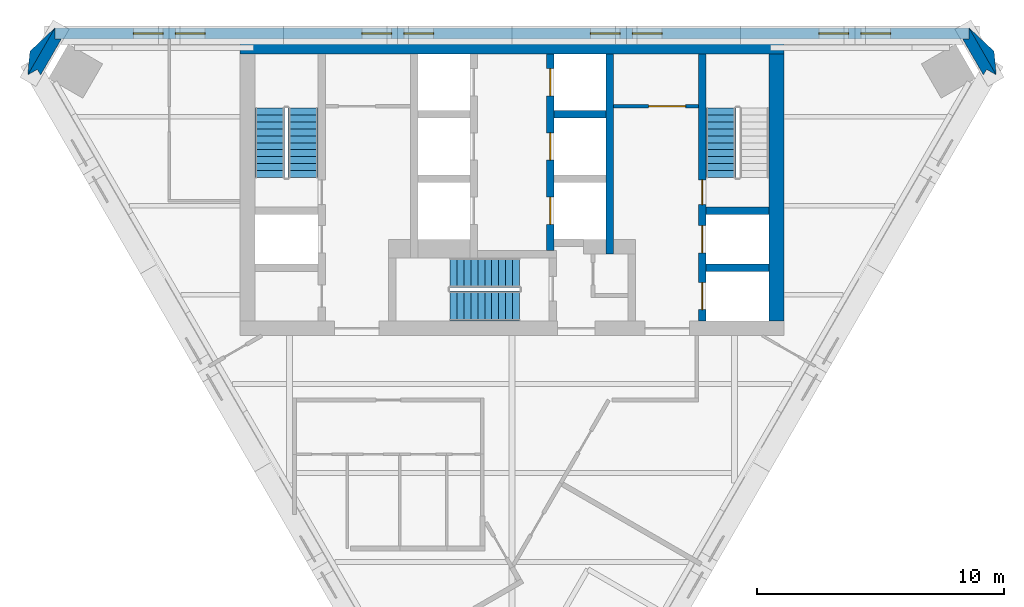
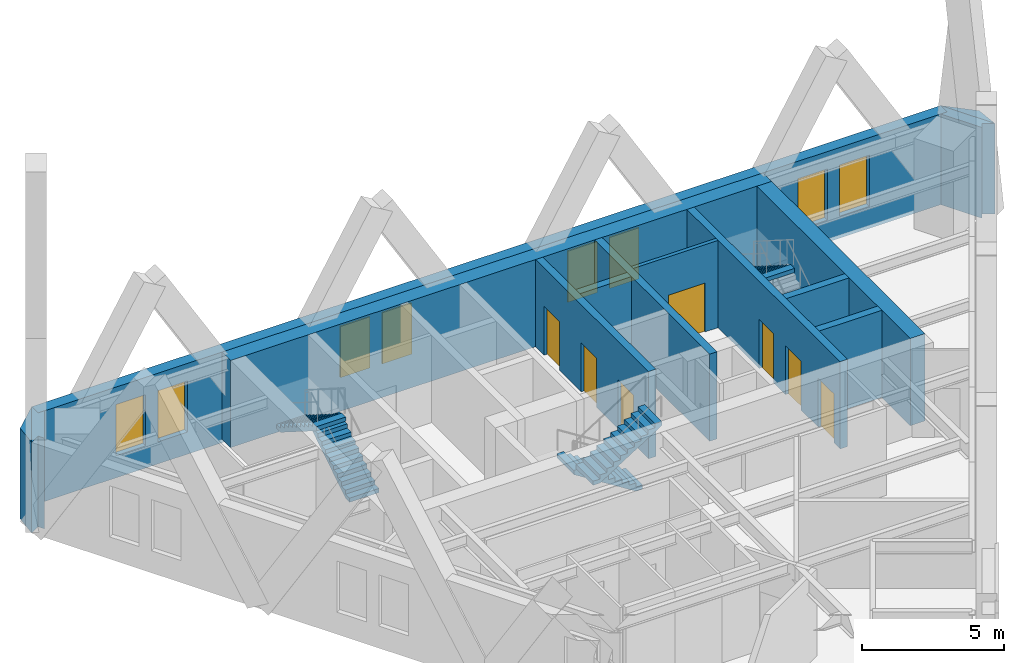
# One storey, part 5 of 7: 14 walls, 8 windows, 7 doors, 5 stair flights, 15 openings, 3 elements without a shape of their own.
"""IFC4 building model written with IfcOpenShell, lengths in metres."""

from ifc_helpers import new_model, si_unit, direction, frame, frame_2d, origin, place, context, subcontext, project, spatial, polyline, rectangle, outline, extrude, material, layer, layer_set, type_object, element, fill, aggregate, save


model = new_model("IFC4")

# Units and contexts
model_context = context("Model", 3, precision=1e-05, world=origin(), true_north=direction((0.0, 1.0)))
body_context = subcontext(model_context, "Body", "Model", "MODEL_VIEW")
ifc_project = project(units=[si_unit("LENGTHUNIT", "METRE"), si_unit("AREAUNIT", "SQUARE_METRE"), si_unit("VOLUMEUNIT", "CUBIC_METRE"), si_unit("PLANEANGLEUNIT", "RADIAN"), si_unit("MASSUNIT", "GRAM", prefix="KILO")], contexts=[model_context])

# Site, building, storey
site_placement = place(None, origin())
site = spatial("IfcSite", under=ifc_project, at=site_placement, CompositionType="ELEMENT")
building_placement = place(site_placement, origin())
building = spatial("IfcBuilding", under=site, at=building_placement, Name="Aloe Facet Convention Tower", CompositionType="ELEMENT")
storey_placement = place(building_placement, frame((0.0, 0.0, 269.89990234375)))
storey = spatial("IfcBuildingStorey", under=building, at=storey_placement, Name="L66", CompositionType="ELEMENT", Elevation=269.89990234375)

# Wall, opening, door
ifc_material_1 = material(Name="Concrete blockwork partition", Category="masonry")
ifc_layer_1 = layer(ifc_material_1, 0.14990234375)
ifc_layer_set_1 = layer_set([ifc_layer_1], Name="CR-W-PART150")
wall_type_1 = type_object("IfcWallType", Name="CR-W-PART150", PredefinedType="PARTITIONING", material=ifc_layer_set_1)
wall_1_placement = place(storey_placement, frame((84.10009765625, 131.824951171875, 0.0), z_axis=(0.0, 0.0, 1.0), x_axis=(1.0, 0.0, 0.0)))
wall_1 = element("IfcWall", 1, at=wall_1_placement, inside=storey, type_object=wall_type_1, Name="Core partition L66-025", PredefinedType="PARTITIONING", context=body_context, shape_type="SweptSolid", body=[
    extrude(rectangle(XDim=3.449951171875, YDim=0.14990234375, at=frame_2d((1.72509765625, 0.0))), origin(), (0.0, 0.0, 1.0), 3.75),
])
opening_1_placement = place(wall_1_placement, frame((1.425048828125, 0.0, 0.0)))
opening_1 = element("IfcOpeningElement", 2, at=opening_1_placement, cuts=wall_1, Name="Opening L66-CD13", PredefinedType="OPENING", context=body_context, shape_type="SweptSolid", body=[
    extrude(rectangle(XDim=1.5, YDim=2.10009765625, at=frame_2d((0.75, 1.050048828125))), frame((0.0, 0.0849609375, 0.0), z_axis=(0.0, -1.0, 0.0), x_axis=(1.0, 0.0, 0.0)), (0.0, 0.0, 1.0), 0.169921875),
])
ifc_material_2 = material(Name="Steel fire-resisting door set FD60", Category="steel")
door_type_1 = type_object("IfcDoorType", Name="CR-D-REFUGE-1500-FD60-DD", OperationType="DOUBLE_DOOR_DOUBLE_SWING", PredefinedType="DOOR", material=ifc_material_2)
door_1_placement = place(opening_1_placement, origin())
door_1 = element("IfcDoor", 3, at=door_1_placement, inside=storey, type_object=door_type_1, Name="Core door L66-CD13", OperationType="DOUBLE_DOOR_DOUBLE_SWING", OverallHeight=2.10009765625, OverallWidth=1.5, PredefinedType="DOOR", context=body_context, shape_type="SweptSolid", body=[
    extrude(rectangle(XDim=1.5, YDim=2.10009765625, at=frame_2d((0.75, 1.050048828125))), frame((0.0, 0.02490234375, 0.0), z_axis=(0.0, -1.0, 0.0), x_axis=(1.0, 0.0, 0.0)), (0.0, 0.0, 1.0), 0.050048828125),
])
fill(opening_1, door_1)

# Wall, openings, doors
ifc_material_3 = material(Name="Concrete C50/60", Category="concrete")
ifc_layer_2 = layer(ifc_material_3, 0.300048828125)
ifc_layer_set_2 = layer_set([ifc_layer_2], Name="CR-W-RC300-C5060")
wall_type_2 = type_object("IfcWallType", Name="CR-W-RC300-C5060", PredefinedType="SOLIDWALL", material=ifc_layer_set_2)
wall_2_placement = place(storey_placement, frame((81.550048828125, 133.949951171875, 0.0), z_axis=(0.0, 0.0, 1.0), x_axis=(0.0, -1.0, 0.0)))
wall_2 = element("IfcWall", 4, at=wall_2_placement, inside=storey, type_object=wall_type_2, Name="Core wall L66-016", PredefinedType="SOLIDWALL", context=body_context, shape_type="SweptSolid", body=[
    extrude(rectangle(XDim=7.949951171875, YDim=0.300048828125, at=frame_2d((3.97509765625, 0.0))), origin(), (0.0, 0.0, 1.0), 3.75),
])
opening_2_placement = place(wall_2_placement, frame((0.60009765625, 0.0, 0.0)))
opening_2 = element("IfcOpeningElement", 5, at=opening_2_placement, cuts=wall_2, Name="Opening LD-B4-L66", PredefinedType="OPENING", context=body_context, shape_type="SweptSolid", body=[
    extrude(rectangle(XDim=1.10009765625, YDim=2.10009765625, at=frame_2d((0.550048828125, 1.050048828125))), frame((0.0, 0.16015625, 0.0), z_axis=(0.0, -1.0, 0.0), x_axis=(1.0, 0.0, 0.0)), (0.0, 0.0, 1.0), 0.320068359375),
])
opening_3_placement = place(wall_2_placement, frame((3.199951171875, 0.0, 0.0)))
opening_3 = element("IfcOpeningElement", 6, at=opening_3_placement, cuts=wall_2, Name="Opening LD-B5-L66", PredefinedType="OPENING", context=body_context, shape_type="SweptSolid", body=[
    extrude(rectangle(XDim=1.10009765625, YDim=2.10009765625, at=frame_2d((0.550048828125, 1.050048828125))), frame((0.0, 0.16015625, 0.0), z_axis=(0.0, -1.0, 0.0), x_axis=(1.0, 0.0, 0.0)), (0.0, 0.0, 1.0), 0.320068359375),
])
opening_4_placement = place(wall_2_placement, frame((5.800048828125, 0.0, 0.0)))
opening_4 = element("IfcOpeningElement", 7, at=opening_4_placement, cuts=wall_2, Name="Opening LD-B6-L66", PredefinedType="OPENING", context=body_context, shape_type="SweptSolid", body=[
    extrude(rectangle(XDim=1.10009765625, YDim=2.10009765625, at=frame_2d((0.550048828125, 1.050048828125))), frame((0.0, 0.16015625, 0.0), z_axis=(0.0, -1.0, 0.0), x_axis=(1.0, 0.0, 0.0)), (0.0, 0.0, 1.0), 0.320068359375),
])
ifc_material_4 = material(Name="Stainless steel sliding landing door", Category="steel")
door_type_2 = type_object("IfcDoorType", Name="CR-LD-1100-FD60-_LEFT", OperationType="SLIDING_TO_LEFT", PredefinedType="DOOR", material=ifc_material_4)
door_2_placement = place(opening_2_placement, origin())
door_2 = element("IfcDoor", 8, at=door_2_placement, inside=storey, type_object=door_type_2, Name="Landing door B4 L66", OperationType="SLIDING_TO_LEFT", OverallHeight=2.10009765625, OverallWidth=1.10009765625, PredefinedType="DOOR", context=body_context, shape_type="SweptSolid", body=[
    extrude(rectangle(XDim=1.10009765625, YDim=2.10009765625, at=frame_2d((0.550048828125, 1.050048828125))), frame((0.0, 0.02490234375, 0.0), z_axis=(0.0, -1.0, 0.0), x_axis=(1.0, 0.0, 0.0)), (0.0, 0.0, 1.0), 0.050048828125),
])
fill(opening_2, door_2)
door_3_placement = place(opening_3_placement, origin())
door_3 = element("IfcDoor", 9, at=door_3_placement, inside=storey, type_object=door_type_2, Name="Landing door B5 L66", OperationType="SLIDING_TO_LEFT", OverallHeight=2.10009765625, OverallWidth=1.10009765625, PredefinedType="DOOR", context=body_context, shape_type="SweptSolid", body=[
    extrude(rectangle(XDim=1.10009765625, YDim=2.10009765625, at=frame_2d((0.550048828125, 1.050048828125))), frame((0.0, 0.02490234375, 0.0), z_axis=(0.0, -1.0, 0.0), x_axis=(1.0, 0.0, 0.0)), (0.0, 0.0, 1.0), 0.050048828125),
])
fill(opening_3, door_3)
door_4_placement = place(opening_4_placement, origin())
door_4 = element("IfcDoor", 10, at=door_4_placement, inside=storey, type_object=door_type_2, Name="Landing door B6 L66", OperationType="SLIDING_TO_LEFT", OverallHeight=2.10009765625, OverallWidth=1.10009765625, PredefinedType="DOOR", context=body_context, shape_type="SweptSolid", body=[
    extrude(rectangle(XDim=1.10009765625, YDim=2.10009765625, at=frame_2d((0.550048828125, 1.050048828125))), frame((0.0, 0.02490234375, 0.0), z_axis=(0.0, -1.0, 0.0), x_axis=(1.0, 0.0, 0.0)), (0.0, 0.0, 1.0), 0.050048828125),
])
fill(opening_4, door_4)

# Walls
wall_3_placement = place(storey_placement, frame((81.699951171875, 131.5, 0.0), z_axis=(0.0, 0.0, 1.0), x_axis=(1.0, 0.0, 0.0)))
element("IfcWall", 11, at=wall_3_placement, inside=storey, type_object=wall_type_2, Name="Core wall L66-018", PredefinedType="SOLIDWALL", context=body_context, shape_type="SweptSolid", body=[
    extrude(rectangle(XDim=2.10009765625, YDim=0.300048828125, at=frame_2d((1.050048828125, 0.0))), origin(), (0.0, 0.0, 1.0), 3.75),
])
wall_4_placement = place(storey_placement, frame((83.949951171875, 133.949951171875, 0.0), z_axis=(0.0, 0.0, 1.0), x_axis=(0.0, -1.0, 0.0)))
element("IfcWall", 12, at=wall_4_placement, inside=storey, type_object=wall_type_2, Name="Core wall L66-024", PredefinedType="SOLIDWALL", context=body_context, shape_type="SweptSolid", body=[
    extrude(rectangle(XDim=8.099853515625, YDim=0.300048828125, at=frame_2d((4.0498046875, 0.0))), origin(), (0.0, 0.0, 1.0), 3.75),
])

# Wall, openings, doors
wall_5_placement = place(storey_placement, frame((87.699951171875, 133.949951171875, 0.0), z_axis=(0.0, 0.0, 1.0), x_axis=(0.0, -1.0, 0.0)))
wall_5 = element("IfcWall", 13, at=wall_5_placement, inside=storey, type_object=wall_type_2, Name="Core wall L66-028", PredefinedType="SOLIDWALL", context=body_context, shape_type="SweptSolid", body=[
    extrude(rectangle(XDim=10.800048828125, YDim=0.300048828125, at=frame_2d((5.39990234375, 0.0))), origin(), (0.0, 0.0, 1.0), 3.75),
])
opening_5_placement = place(wall_5_placement, frame((6.949951171875, 0.0, 0.0)))
opening_5 = element("IfcOpeningElement", 14, at=opening_5_placement, cuts=wall_5, Name="Opening LD-FF2-L66", PredefinedType="OPENING", context=body_context, shape_type="SweptSolid", body=[
    extrude(rectangle(XDim=1.10009765625, YDim=2.10009765625, at=frame_2d((0.550048828125, 1.050048828125))), frame((0.0, 0.16015625, 0.0), z_axis=(0.0, -1.0, 0.0), x_axis=(1.0, 0.0, 0.0)), (0.0, 0.0, 1.0), 0.320068359375),
])
opening_6_placement = place(wall_5_placement, frame((5.10009765625, 0.0, 0.0)))
opening_6 = element("IfcOpeningElement", 15, at=opening_6_placement, cuts=wall_5, Name="Opening L66-CD17", PredefinedType="OPENING", context=body_context, shape_type="SweptSolid", body=[
    extrude(rectangle(XDim=1.0, YDim=2.10009765625, at=frame_2d((0.5, 1.050048828125))), frame((0.0, 0.16015625, 0.0), z_axis=(0.0, -1.0, 0.0), x_axis=(1.0, 0.0, 0.0)), (0.0, 0.0, 1.0), 0.320068359375),
])
opening_7_placement = place(wall_5_placement, frame((9.25, 0.0, 0.0)))
opening_7 = element("IfcOpeningElement", 16, at=opening_7_placement, cuts=wall_5, Name="Opening LD-SV1-L66", PredefinedType="OPENING", context=body_context, shape_type="SweptSolid", body=[
    extrude(rectangle(XDim=1.10009765625, YDim=2.10009765625, at=frame_2d((0.550048828125, 1.050048828125))), frame((0.0, 0.16015625, 0.0), z_axis=(0.0, -1.0, 0.0), x_axis=(1.0, 0.0, 0.0)), (0.0, 0.0, 1.0), 0.320068359375),
])
ifc_material_5 = material(Name="Steel fire-resisting door set FD120", Category="steel")
door_type_3 = type_object("IfcDoorType", Name="CR-D-STAIR-1000-FD120-SLEFT", OperationType="SINGLE_SWING_LEFT", PredefinedType="DOOR", material=ifc_material_5)
door_5_placement = place(opening_6_placement, origin())
door_5 = element("IfcDoor", 17, at=door_5_placement, inside=storey, type_object=door_type_3, Name="Core door L66-CD17", OperationType="SINGLE_SWING_LEFT", OverallHeight=2.10009765625, OverallWidth=1.0, PredefinedType="DOOR", context=body_context, shape_type="SweptSolid", body=[
    extrude(rectangle(XDim=1.0, YDim=2.10009765625, at=frame_2d((0.5, 1.050048828125))), frame((0.0, 0.02490234375, 0.0), z_axis=(0.0, -1.0, 0.0), x_axis=(1.0, 0.0, 0.0)), (0.0, 0.0, 1.0), 0.050048828125),
])
fill(opening_6, door_5)
ifc_material_6 = material(Name="Stainless steel sliding landing door", Category="steel")
door_type_4 = type_object("IfcDoorType", Name="CR-LD-1100-FD120-_LEFT", OperationType="SLIDING_TO_LEFT", PredefinedType="DOOR", material=ifc_material_6)
door_6_placement = place(opening_5_placement, origin())
door_6 = element("IfcDoor", 18, at=door_6_placement, inside=storey, type_object=door_type_4, Name="Landing door FF2 L66", OperationType="SLIDING_TO_LEFT", OverallHeight=2.10009765625, OverallWidth=1.10009765625, PredefinedType="DOOR", context=body_context, shape_type="SweptSolid", body=[
    extrude(rectangle(XDim=1.10009765625, YDim=2.10009765625, at=frame_2d((0.550048828125, 1.050048828125))), frame((0.0, 0.02490234375, 0.0), z_axis=(0.0, -1.0, 0.0), x_axis=(1.0, 0.0, 0.0)), (0.0, 0.0, 1.0), 0.050048828125),
])
fill(opening_5, door_6)
door_7_placement = place(opening_7_placement, origin())
door_7 = element("IfcDoor", 19, at=door_7_placement, inside=storey, type_object=door_type_4, Name="Landing door SV1 L66", OperationType="SLIDING_TO_LEFT", OverallHeight=2.10009765625, OverallWidth=1.10009765625, PredefinedType="DOOR", context=body_context, shape_type="SweptSolid", body=[
    extrude(rectangle(XDim=1.10009765625, YDim=2.10009765625, at=frame_2d((0.550048828125, 1.050048828125))), frame((0.0, 0.02490234375, 0.0), z_axis=(0.0, -1.0, 0.0), x_axis=(1.0, 0.0, 0.0)), (0.0, 0.0, 1.0), 0.050048828125),
])
fill(opening_7, door_7)

# Walls
for number, where, z_axis, x_axis, name in (
    (20, (87.85009765625, 127.60009765625, 0.0), (0.0, 0.0, 1.0), (1.0, 0.0, 0.0), "Core wall L66-029"),
    (21, (87.85009765625, 125.300048828125, 0.0), (0.0, 0.0, 1.0), (1.0, 0.0, 0.0), "Core wall L66-030"),
):
    element("IfcWall", number, at=place(storey_placement, frame(where, z_axis=z_axis, x_axis=x_axis)), inside=storey, type_object=wall_type_2, Name=name, PredefinedType="SOLIDWALL", context=body_context, shape_type="SweptSolid", body=[
        extrude(rectangle(XDim=2.5498046875, YDim=0.300048828125, at=frame_2d((1.27490234375, 0.0))), origin(), (0.0, 0.0, 1.0), 3.75),
    ])
ifc_material_7 = material(Name="Concrete C50/60", Category="concrete")
ifc_layer_3 = layer(ifc_material_7, 0.60009765625)
ifc_layer_set_3 = layer_set([ifc_layer_3], Name="CR-W-RC600-C5060")
wall_type_3 = type_object("IfcWallType", Name="CR-W-RC600-C5060", PredefinedType="SOLIDWALL", material=ifc_layer_set_3)
wall_6_placement = place(storey_placement, frame((69.0, 134.25, 0.0), z_axis=(0.0, 0.0, 1.0), x_axis=(1.0, 0.0, 0.0)))
element("IfcWall", 22, at=wall_6_placement, inside=storey, type_object=wall_type_3, Name="Core wall L66-001", PredefinedType="SOLIDWALL", context=body_context, shape_type="SweptSolid", body=[
    extrude(rectangle(XDim=22.0, YDim=0.60009765625, at=frame_2d((11.0, 0.0))), origin(), (0.0, 0.0, 1.0), 3.75),
])
wall_7_placement = place(storey_placement, frame((90.699951171875, 133.949951171875, 0.0), z_axis=(0.0, 0.0, 1.0), x_axis=(0.0, -1.0, 0.0)))
element("IfcWall", 23, at=wall_7_placement, inside=storey, type_object=wall_type_3, Name="Core wall L66-031", PredefinedType="SOLIDWALL", context=body_context, shape_type="SweptSolid", body=[
    extrude(rectangle(XDim=10.800048828125, YDim=0.60009765625, at=frame_2d((5.39990234375, 0.0))), origin(), (0.0, 0.0, 1.0), 3.75),
])
ifc_material_8 = material(Name="Precast concrete C40/50", Category="concrete")
ifc_layer_4 = layer(ifc_material_8, 0.449951171875)
ifc_layer_set_4 = layer_set([ifc_layer_4], Name="EV-WALL-PIER")
wall_type_4 = type_object("IfcWallType", Name="EV-WALL-PIER", PredefinedType="SOLIDWALL", material=ifc_layer_set_4)
wall_8_placement = place(storey_placement, frame((0.0, 0.0, -0.14990234375)))
element("IfcWall", 24, at=wall_8_placement, inside=storey, type_object=wall_type_4, Name="EP-L66-A", PredefinedType="SOLIDWALL", context=body_context, shape_type="SweptSolid", body=[
    extrude(outline(polyline([(61.513916015625, 135.0), (61.513916015625, 134.550048828125), (61.773681640625, 134.550048828125), (60.933349609375, 133.0947265625), (60.803466796875, 133.31982421875), (60.413818359375, 133.0947265625), (61.513916015625, 135.0)])), origin(), (0.0, 0.0, 1.0), 3.89990234375),
])
wall_9_placement = place(storey_placement, frame((0.0, 0.0, -0.14990234375)))
element("IfcWall", 25, at=wall_9_placement, inside=storey, type_object=wall_type_4, Name="EP-L66-C", PredefinedType="SOLIDWALL", context=body_context, shape_type="SweptSolid", body=[
    extrude(outline(polyline([(99.586181640625, 133.0947265625), (99.196533203125, 133.31982421875), (99.066650390625, 133.0947265625), (98.226318359375, 134.550048828125), (98.486083984375, 134.550048828125), (98.486083984375, 135.0), (99.586181640625, 133.0947265625)])), origin(), (0.0, 0.0, 1.0), 3.89990234375),
])
ifc_material_9 = material(Name="Precast concrete C40/50", Category="concrete")
ifc_layer_5 = layer(ifc_material_9, 3.947998046875)
ifc_layer_set_5 = layer_set([ifc_layer_5], Name="EV-WALL-SPINE")
wall_type_5 = type_object("IfcWallType", Name="EV-WALL-SPINE", PredefinedType="SOLIDWALL", material=ifc_layer_set_5)
wall_10_placement = place(storey_placement, frame((0.0, 0.0, -0.14990234375)))
element("IfcWall", 26, at=wall_10_placement, inside=storey, type_object=wall_type_5, Name="SP-NW-L66", PredefinedType="SOLIDWALL", context=body_context, shape_type="SweptSolid", body=[
    extrude(outline(polyline([(61.513916015625, 135.0), (60.501953125, 134.052490234375), (60.413818359375, 133.0947265625), (61.513916015625, 135.0)])), origin(), (0.0, 0.0, 1.0), 3.89990234375),
])
wall_11_placement = place(storey_placement, frame((0.0, 0.0, -0.14990234375)))
element("IfcWall", 27, at=wall_11_placement, inside=storey, type_object=wall_type_5, Name="SP-NE-L66", PredefinedType="SOLIDWALL", context=body_context, shape_type="SweptSolid", body=[
    extrude(outline(polyline([(99.586181640625, 133.0947265625), (99.498046875, 134.052490234375), (98.486083984375, 135.0), (99.586181640625, 133.0947265625)])), origin(), (0.0, 0.0, 1.0), 3.89990234375),
])

# Wall, openings, windows
ifc_material_10 = material(Name="Precast concrete C40/50", Category="concrete")
ifc_layer_6 = layer(ifc_material_10, 0.449951171875)
ifc_layer_set_6 = layer_set([ifc_layer_6], Name="EV-WALL-STONE")
wall_type_6 = type_object("IfcWallType", Name="EV-WALL-STONE", PredefinedType="SOLIDWALL", material=ifc_layer_set_6)
wall_12_placement = place(storey_placement, frame((98.486083984375, 134.77490234375, -0.14990234375), z_axis=(0.0, 0.0, 1.0), x_axis=(-1.0, 0.0, 0.0)))
wall_12 = element("IfcWall", 28, at=wall_12_placement, inside=storey, type_object=wall_type_6, Name="EW-L66-N01", PredefinedType="SOLIDWALL", context=body_context, shape_type="SweptSolid", body=[
    extrude(outline(polyline([(36.972412109375, 0.0), (36.972412109375, 3.89990234375), (0.0, 3.89990234375), (0.0, 0.0), (36.972412109375, 0.0)])), frame((0.0, 0.22509765625, 0.0), z_axis=(0.0, -1.0, 0.0), x_axis=(1.0, 0.0, 0.0)), (0.0, 0.0, 1.0), 0.449951171875),
])
opening_8_placement = place(wall_12_placement, frame((3.171630859375, 0.0, 0.949951171875)))
opening_8 = element("IfcOpeningElement", 29, at=opening_8_placement, cuts=wall_12, Name="Opening W-L66-N01", PredefinedType="OPENING", context=body_context, shape_type="SweptSolid", body=[
    extrude(rectangle(XDim=1.199951171875, YDim=2.199951171875, at=frame_2d((0.60009765625, 1.10009765625))), frame((0.0, 0.23486328125, 0.0), z_axis=(0.0, -1.0, 0.0), x_axis=(1.0, 0.0, 0.0)), (0.0, 0.0, 1.0), 0.469970703125),
])
opening_9_placement = place(wall_12_placement, frame((4.87158203125, 0.0, 0.949951171875)))
opening_9 = element("IfcOpeningElement", 30, at=opening_9_placement, cuts=wall_12, Name="Opening W-L66-N02", PredefinedType="OPENING", context=body_context, shape_type="SweptSolid", body=[
    extrude(rectangle(XDim=1.199951171875, YDim=2.199951171875, at=frame_2d((0.60009765625, 1.10009765625))), frame((0.0, 0.23486328125, 0.0), z_axis=(0.0, -1.0, 0.0), x_axis=(1.0, 0.0, 0.0)), (0.0, 0.0, 1.0), 0.469970703125),
])
opening_10_placement = place(wall_12_placement, frame((12.41455078125, 0.0, 0.949951171875)))
opening_10 = element("IfcOpeningElement", 31, at=opening_10_placement, cuts=wall_12, Name="Opening W-L66-N03", PredefinedType="OPENING", context=body_context, shape_type="SweptSolid", body=[
    extrude(rectangle(XDim=1.199951171875, YDim=2.199951171875, at=frame_2d((0.60009765625, 1.10009765625))), frame((0.0, 0.23486328125, 0.0), z_axis=(0.0, -1.0, 0.0), x_axis=(1.0, 0.0, 0.0)), (0.0, 0.0, 1.0), 0.469970703125),
])
opening_11_placement = place(wall_12_placement, frame((14.114501953125, 0.0, 0.949951171875)))
opening_11 = element("IfcOpeningElement", 32, at=opening_11_placement, cuts=wall_12, Name="Opening W-L66-N04", PredefinedType="OPENING", context=body_context, shape_type="SweptSolid", body=[
    extrude(rectangle(XDim=1.199951171875, YDim=2.199951171875, at=frame_2d((0.60009765625, 1.10009765625))), frame((0.0, 0.23486328125, 0.0), z_axis=(0.0, -1.0, 0.0), x_axis=(1.0, 0.0, 0.0)), (0.0, 0.0, 1.0), 0.469970703125),
])
opening_12_placement = place(wall_12_placement, frame((21.65771484375, 0.0, 0.949951171875)))
opening_12 = element("IfcOpeningElement", 33, at=opening_12_placement, cuts=wall_12, Name="Opening W-L66-N05", PredefinedType="OPENING", context=body_context, shape_type="SweptSolid", body=[
    extrude(rectangle(XDim=1.199951171875, YDim=2.199951171875, at=frame_2d((0.60009765625, 1.10009765625))), frame((0.0, 0.23486328125, 0.0), z_axis=(0.0, -1.0, 0.0), x_axis=(1.0, 0.0, 0.0)), (0.0, 0.0, 1.0), 0.469970703125),
])
opening_13_placement = place(wall_12_placement, frame((23.357666015625, 0.0, 0.949951171875)))
opening_13 = element("IfcOpeningElement", 34, at=opening_13_placement, cuts=wall_12, Name="Opening W-L66-N06", PredefinedType="OPENING", context=body_context, shape_type="SweptSolid", body=[
    extrude(rectangle(XDim=1.199951171875, YDim=2.199951171875, at=frame_2d((0.60009765625, 1.10009765625))), frame((0.0, 0.23486328125, 0.0), z_axis=(0.0, -1.0, 0.0), x_axis=(1.0, 0.0, 0.0)), (0.0, 0.0, 1.0), 0.469970703125),
])
opening_14_placement = place(wall_12_placement, frame((30.90087890625, 0.0, 0.949951171875)))
opening_14 = element("IfcOpeningElement", 35, at=opening_14_placement, cuts=wall_12, Name="Opening W-L66-N07", PredefinedType="OPENING", context=body_context, shape_type="SweptSolid", body=[
    extrude(rectangle(XDim=1.199951171875, YDim=2.199951171875, at=frame_2d((0.60009765625, 1.10009765625))), frame((0.0, 0.23486328125, 0.0), z_axis=(0.0, -1.0, 0.0), x_axis=(1.0, 0.0, 0.0)), (0.0, 0.0, 1.0), 0.469970703125),
])
opening_15_placement = place(wall_12_placement, frame((32.600830078125, 0.0, 0.949951171875)))
opening_15 = element("IfcOpeningElement", 36, at=opening_15_placement, cuts=wall_12, Name="Opening W-L66-N08", PredefinedType="OPENING", context=body_context, shape_type="SweptSolid", body=[
    extrude(rectangle(XDim=1.199951171875, YDim=2.199951171875, at=frame_2d((0.60009765625, 1.10009765625))), frame((0.0, 0.23486328125, 0.0), z_axis=(0.0, -1.0, 0.0), x_axis=(1.0, 0.0, 0.0)), (0.0, 0.0, 1.0), 0.469970703125),
])
ifc_material_11 = material(Name="Aluminium frame, clear double glazing", Category="aluminium")
window_type = type_object("IfcWindowType", Name="EV-WIN-O12", PartitioningType="SINGLE_PANEL", PredefinedType="WINDOW", material=ifc_material_11)
window_1_placement = place(opening_8_placement, origin())
window_1 = element("IfcWindow", 37, at=window_1_placement, inside=storey, type_object=window_type, Name="W-L66-N01", OverallHeight=2.199951171875, OverallWidth=1.199951171875, PartitioningType="SINGLE_PANEL", PredefinedType="WINDOW", context=body_context, shape_type="SweptSolid", body=[
    extrude(rectangle(XDim=1.199951171875, YDim=2.199951171875, at=frame_2d((0.60009765625, 1.10009765625))), frame((0.0, 0.030029296875, 0.0), z_axis=(0.0, -1.0, 0.0), x_axis=(1.0, 0.0, 0.0)), (0.0, 0.0, 1.0), 0.06005859375),
])
fill(opening_8, window_1)
window_2_placement = place(opening_9_placement, origin())
window_2 = element("IfcWindow", 38, at=window_2_placement, inside=storey, type_object=window_type, Name="W-L66-N02", OverallHeight=2.199951171875, OverallWidth=1.199951171875, PartitioningType="SINGLE_PANEL", PredefinedType="WINDOW", context=body_context, shape_type="SweptSolid", body=[
    extrude(rectangle(XDim=1.199951171875, YDim=2.199951171875, at=frame_2d((0.60009765625, 1.10009765625))), frame((0.0, 0.030029296875, 0.0), z_axis=(0.0, -1.0, 0.0), x_axis=(1.0, 0.0, 0.0)), (0.0, 0.0, 1.0), 0.06005859375),
])
fill(opening_9, window_2)
window_3_placement = place(opening_10_placement, origin())
window_3 = element("IfcWindow", 39, at=window_3_placement, inside=storey, type_object=window_type, Name="W-L66-N03", OverallHeight=2.199951171875, OverallWidth=1.199951171875, PartitioningType="SINGLE_PANEL", PredefinedType="WINDOW", context=body_context, shape_type="SweptSolid", body=[
    extrude(rectangle(XDim=1.199951171875, YDim=2.199951171875, at=frame_2d((0.60009765625, 1.10009765625))), frame((0.0, 0.030029296875, 0.0), z_axis=(0.0, -1.0, 0.0), x_axis=(1.0, 0.0, 0.0)), (0.0, 0.0, 1.0), 0.06005859375),
])
fill(opening_10, window_3)
window_4_placement = place(opening_11_placement, origin())
window_4 = element("IfcWindow", 40, at=window_4_placement, inside=storey, type_object=window_type, Name="W-L66-N04", OverallHeight=2.199951171875, OverallWidth=1.199951171875, PartitioningType="SINGLE_PANEL", PredefinedType="WINDOW", context=body_context, shape_type="SweptSolid", body=[
    extrude(rectangle(XDim=1.199951171875, YDim=2.199951171875, at=frame_2d((0.60009765625, 1.10009765625))), frame((0.0, 0.030029296875, 0.0), z_axis=(0.0, -1.0, 0.0), x_axis=(1.0, 0.0, 0.0)), (0.0, 0.0, 1.0), 0.06005859375),
])
fill(opening_11, window_4)
window_5_placement = place(opening_12_placement, origin())
window_5 = element("IfcWindow", 41, at=window_5_placement, inside=storey, type_object=window_type, Name="W-L66-N05", OverallHeight=2.199951171875, OverallWidth=1.199951171875, PartitioningType="SINGLE_PANEL", PredefinedType="WINDOW", context=body_context, shape_type="SweptSolid", body=[
    extrude(rectangle(XDim=1.199951171875, YDim=2.199951171875, at=frame_2d((0.60009765625, 1.10009765625))), frame((0.0, 0.030029296875, 0.0), z_axis=(0.0, -1.0, 0.0), x_axis=(1.0, 0.0, 0.0)), (0.0, 0.0, 1.0), 0.06005859375),
])
fill(opening_12, window_5)
window_6_placement = place(opening_13_placement, origin())
window_6 = element("IfcWindow", 42, at=window_6_placement, inside=storey, type_object=window_type, Name="W-L66-N06", OverallHeight=2.199951171875, OverallWidth=1.199951171875, PartitioningType="SINGLE_PANEL", PredefinedType="WINDOW", context=body_context, shape_type="SweptSolid", body=[
    extrude(rectangle(XDim=1.199951171875, YDim=2.199951171875, at=frame_2d((0.60009765625, 1.10009765625))), frame((0.0, 0.030029296875, 0.0), z_axis=(0.0, -1.0, 0.0), x_axis=(1.0, 0.0, 0.0)), (0.0, 0.0, 1.0), 0.06005859375),
])
fill(opening_13, window_6)
window_7_placement = place(opening_14_placement, origin())
window_7 = element("IfcWindow", 43, at=window_7_placement, inside=storey, type_object=window_type, Name="W-L66-N07", OverallHeight=2.199951171875, OverallWidth=1.199951171875, PartitioningType="SINGLE_PANEL", PredefinedType="WINDOW", context=body_context, shape_type="SweptSolid", body=[
    extrude(rectangle(XDim=1.199951171875, YDim=2.199951171875, at=frame_2d((0.60009765625, 1.10009765625))), frame((0.0, 0.030029296875, 0.0), z_axis=(0.0, -1.0, 0.0), x_axis=(1.0, 0.0, 0.0)), (0.0, 0.0, 1.0), 0.06005859375),
])
fill(opening_14, window_7)
window_8_placement = place(opening_15_placement, origin())
window_8 = element("IfcWindow", 44, at=window_8_placement, inside=storey, type_object=window_type, Name="W-L66-N08", OverallHeight=2.199951171875, OverallWidth=1.199951171875, PartitioningType="SINGLE_PANEL", PredefinedType="WINDOW", context=body_context, shape_type="SweptSolid", body=[
    extrude(rectangle(XDim=1.199951171875, YDim=2.199951171875, at=frame_2d((0.60009765625, 1.10009765625))), frame((0.0, 0.030029296875, 0.0), z_axis=(0.0, -1.0, 0.0), x_axis=(1.0, 0.0, 0.0)), (0.0, 0.0, 1.0), 0.06005859375),
])
fill(opening_15, window_8)

# Stair, stair flights
ifc_material_12 = material(Name="Concrete C50/60", Category="concrete")
stair_type = type_object("IfcStairType", Name="CR-ST-22R", PredefinedType="HALF_TURN_STAIR", material=ifc_material_12)
stair_1_placement = place(storey_placement, origin())
stair_1 = element("IfcStair", 45, at=stair_1_placement, inside=storey, type_object=stair_type, Name="L66 Protected exit stair ST1", PredefinedType="HALF_TURN_STAIR")
ifc_material_13 = material(Name="Concrete C50/60", Category="concrete")
stair_flight_type = type_object("IfcStairFlightType", Name="CR-SFL-22R", PredefinedType="STRAIGHT", material=ifc_material_13)
stair_flight_1_placement = place(storey_placement, frame((71.550048828125, 128.949951171875, 0.0), z_axis=(0.0, 0.0, 1.0), x_axis=(0.0, 1.0, 0.0)))
stair_flight_1 = element("IfcStairFlight", 46, at=stair_flight_1_placement, type_object=stair_flight_type, Name="ST1 flight 1", NumberOfRisers=11, NumberOfTreads=10, PredefinedType="STRAIGHT", RiserHeight=0.177272727, TreadLength=0.28, context=body_context, shape_type="SweptSolid", body=[
    extrude(outline(polyline([(0.0, 0.0), (0.0, 0.17724609375), (0.280029296875, 0.17724609375), (0.280029296875, 0.3544921875), (0.56005859375, 0.3544921875), (0.56005859375, 0.53173828125), (0.840087890625, 0.53173828125), (0.840087890625, 0.708984375), (1.1201171875, 0.708984375), (1.1201171875, 0.886474609375), (1.39990234375, 0.886474609375), (1.39990234375, 1.063720703125), (1.679931640625, 1.063720703125), (1.679931640625, 1.240966796875), (1.9599609375, 1.240966796875), (1.9599609375, 1.418212890625), (2.239990234375, 1.418212890625), (2.239990234375, 1.595458984375), (2.52001953125, 1.595458984375), (2.52001953125, 1.772705078125), (2.800048828125, 1.772705078125), (2.800048828125, 1.949951171875), (2.800048828125, 1.59521484375), (0.2802734375, 0.0), (0.0, 0.0)])), frame((0.0, 0.60009765625, 0.0), z_axis=(0.0, -1.0, 0.0), x_axis=(1.0, 0.0, 0.0)), (0.0, 0.0, 1.0), 1.199951171875),
])
stair_flight_2_placement = place(storey_placement, frame((70.199951171875, 131.75, 1.9501953125), z_axis=(0.0, 0.0, 1.0), x_axis=(0.0, -1.0, 0.0)))
stair_flight_2 = element("IfcStairFlight", 47, at=stair_flight_2_placement, type_object=stair_flight_type, Name="ST1 flight 2", NumberOfRisers=11, NumberOfTreads=10, PredefinedType="STRAIGHT", RiserHeight=0.177272727, TreadLength=0.28, context=body_context, shape_type="SweptSolid", body=[
    extrude(outline(polyline([(0.0, 0.0), (0.0, 0.17724609375), (0.280029296875, 0.17724609375), (0.280029296875, 0.3544921875), (0.56005859375, 0.3544921875), (0.56005859375, 0.53173828125), (0.840087890625, 0.53173828125), (0.840087890625, 0.708984375), (1.1201171875, 0.708984375), (1.1201171875, 0.886474609375), (1.39990234375, 0.886474609375), (1.39990234375, 1.063720703125), (1.679931640625, 1.063720703125), (1.679931640625, 1.240966796875), (1.9599609375, 1.240966796875), (1.9599609375, 1.418212890625), (2.239990234375, 1.418212890625), (2.239990234375, 1.595458984375), (2.52001953125, 1.595458984375), (2.52001953125, 1.772705078125), (2.800048828125, 1.772705078125), (2.800048828125, 1.949951171875), (2.800048828125, 1.59521484375), (0.2802734375, 0.0), (0.0, 0.0)])), frame((0.0, 0.60009765625, 0.0), z_axis=(0.0, -1.0, 0.0), x_axis=(1.0, 0.0, 0.0)), (0.0, 0.0, 1.0), 1.199951171875),
])
aggregate(stair_1, [stair_flight_1, stair_flight_2])

# Stair, stair flight
stair_2_placement = place(storey_placement, origin())
stair_2 = element("IfcStair", 48, at=stair_2_placement, inside=storey, type_object=stair_type, Name="L66 Protected exit stair ST2", PredefinedType="HALF_TURN_STAIR")
stair_flight_3_placement = place(storey_placement, frame((88.449951171875, 131.75, 1.9501953125), z_axis=(0.0, 0.0, 1.0), x_axis=(0.0, -1.0, 0.0)))
stair_flight_3 = element("IfcStairFlight", 49, at=stair_flight_3_placement, type_object=stair_flight_type, Name="ST2 flight 2", NumberOfRisers=11, NumberOfTreads=10, PredefinedType="STRAIGHT", RiserHeight=0.177272727, TreadLength=0.28, context=body_context, shape_type="SweptSolid", body=[
    extrude(outline(polyline([(0.0, 0.0), (0.0, 0.17724609375), (0.280029296875, 0.17724609375), (0.280029296875, 0.3544921875), (0.56005859375, 0.3544921875), (0.56005859375, 0.53173828125), (0.840087890625, 0.53173828125), (0.840087890625, 0.708984375), (1.1201171875, 0.708984375), (1.1201171875, 0.886474609375), (1.39990234375, 0.886474609375), (1.39990234375, 1.063720703125), (1.679931640625, 1.063720703125), (1.679931640625, 1.240966796875), (1.9599609375, 1.240966796875), (1.9599609375, 1.418212890625), (2.239990234375, 1.418212890625), (2.239990234375, 1.595458984375), (2.52001953125, 1.595458984375), (2.52001953125, 1.772705078125), (2.800048828125, 1.772705078125), (2.800048828125, 1.949951171875), (2.800048828125, 1.59521484375), (0.2802734375, 0.0), (0.0, 0.0)])), frame((0.0, 0.60009765625, 0.0), z_axis=(0.0, -1.0, 0.0), x_axis=(1.0, 0.0, 0.0)), (0.0, 0.0, 1.0), 1.199951171875),
])
aggregate(stair_2, [stair_flight_3])

# Stair, stair flights
stair_3_placement = place(storey_placement, origin())
stair_3 = element("IfcStair", 50, at=stair_3_placement, inside=storey, type_object=stair_type, Name="L66 Protected exit stair ST3", PredefinedType="HALF_TURN_STAIR")
stair_flight_4_placement = place(storey_placement, frame((80.300048828125, 125.10009765625, 0.0), z_axis=(0.0, 0.0, 1.0), x_axis=(-1.0, 0.0, 0.0)))
stair_flight_4 = element("IfcStairFlight", 51, at=stair_flight_4_placement, type_object=stair_flight_type, Name="ST3 flight 1", NumberOfRisers=11, NumberOfTreads=10, PredefinedType="STRAIGHT", RiserHeight=0.177272727, TreadLength=0.28, context=body_context, shape_type="SweptSolid", body=[
    extrude(outline(polyline([(0.0, 0.0), (0.0, 0.17724609375), (0.280029296875, 0.17724609375), (0.280029296875, 0.3544921875), (0.56005859375, 0.3544921875), (0.56005859375, 0.53173828125), (0.840087890625, 0.53173828125), (0.840087890625, 0.708984375), (1.1201171875, 0.708984375), (1.1201171875, 0.886474609375), (1.39990234375, 0.886474609375), (1.39990234375, 1.063720703125), (1.679931640625, 1.063720703125), (1.679931640625, 1.240966796875), (1.9599609375, 1.240966796875), (1.9599609375, 1.418212890625), (2.239990234375, 1.418212890625), (2.239990234375, 1.595458984375), (2.52001953125, 1.595458984375), (2.52001953125, 1.772705078125), (2.800048828125, 1.772705078125), (2.800048828125, 1.949951171875), (2.800048828125, 1.59521484375), (0.2802734375, 0.0), (0.0, 0.0)])), frame((0.0, 0.60009765625, 0.0), z_axis=(0.0, -1.0, 0.0), x_axis=(1.0, 0.0, 0.0)), (0.0, 0.0, 1.0), 1.199951171875),
])
stair_flight_5_placement = place(storey_placement, frame((77.5, 123.75, 1.9501953125), z_axis=(0.0, 0.0, 1.0), x_axis=(1.0, 0.0, 0.0)))
stair_flight_5 = element("IfcStairFlight", 52, at=stair_flight_5_placement, type_object=stair_flight_type, Name="ST3 flight 2", NumberOfRisers=11, NumberOfTreads=10, PredefinedType="STRAIGHT", RiserHeight=0.177272727, TreadLength=0.28, context=body_context, shape_type="SweptSolid", body=[
    extrude(outline(polyline([(0.0, 0.0), (0.0, 0.17724609375), (0.280029296875, 0.17724609375), (0.280029296875, 0.3544921875), (0.56005859375, 0.3544921875), (0.56005859375, 0.53173828125), (0.840087890625, 0.53173828125), (0.840087890625, 0.708984375), (1.1201171875, 0.708984375), (1.1201171875, 0.886474609375), (1.39990234375, 0.886474609375), (1.39990234375, 1.063720703125), (1.679931640625, 1.063720703125), (1.679931640625, 1.240966796875), (1.9599609375, 1.240966796875), (1.9599609375, 1.418212890625), (2.239990234375, 1.418212890625), (2.239990234375, 1.595458984375), (2.52001953125, 1.595458984375), (2.52001953125, 1.772705078125), (2.800048828125, 1.772705078125), (2.800048828125, 1.949951171875), (2.800048828125, 1.59521484375), (0.2802734375, 0.0), (0.0, 0.0)])), frame((0.0, 0.60009765625, 0.0), z_axis=(0.0, -1.0, 0.0), x_axis=(1.0, 0.0, 0.0)), (0.0, 0.0, 1.0), 1.199951171875),
])
aggregate(stair_3, [stair_flight_4, stair_flight_5])

save(model, "model.ifc")
